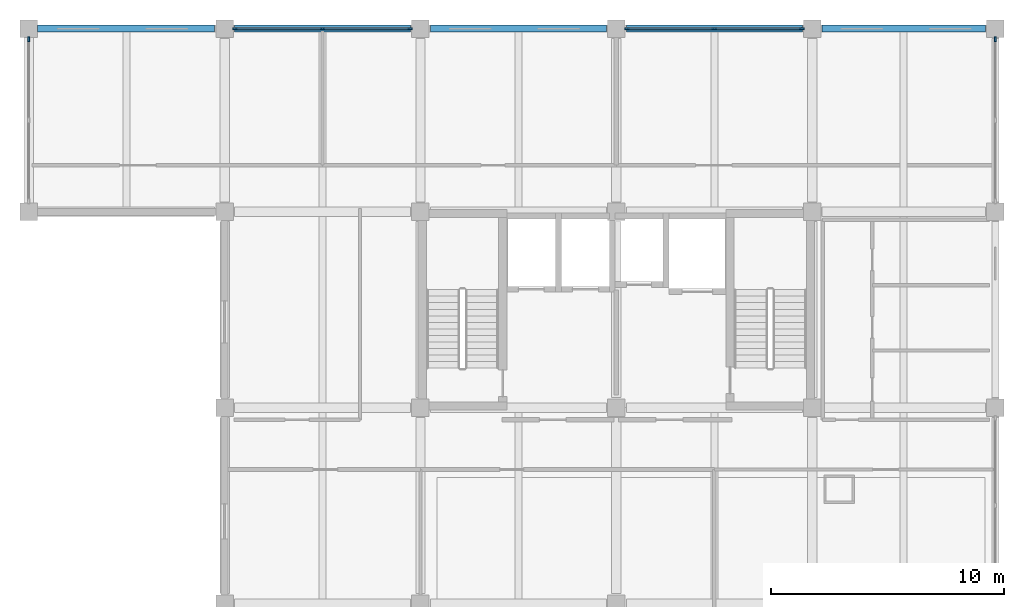
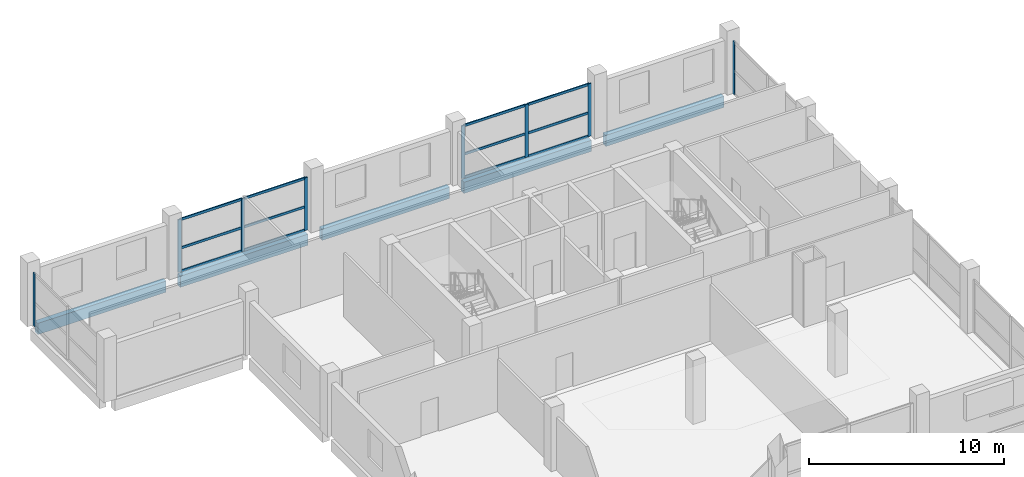
# One storey, part 5 of 9: 20 members, 5 beams, 4 elements without a shape of their own.
"""IFC4 building model written with IfcOpenShell, lengths in metres."""

from ifc_helpers import new_model, si_unit, direction, frame, origin, origin_2d, place, context, subcontext, project, spatial, rectangle, extrude, material, material_profile, profile_set, type_object, element, aggregate, save


model = new_model("IFC4")

# Units and contexts
model_context = context("Model", 3, precision=1e-05, world=origin(), true_north=direction((0.0, 1.0)))
body_context = subcontext(model_context, "Body", "Model", "MODEL_VIEW")
ifc_project = project(units=[si_unit("LENGTHUNIT", "METRE"), si_unit("AREAUNIT", "SQUARE_METRE"), si_unit("VOLUMEUNIT", "CUBIC_METRE"), si_unit("PLANEANGLEUNIT", "RADIAN"), si_unit("MASSUNIT", "GRAM", prefix="KILO")], contexts=[model_context])

# Site, building, storey
site_placement = place(None, origin())
site = spatial("IfcSite", under=ifc_project, at=site_placement, CompositionType="ELEMENT")
building_placement = place(site_placement, origin())
building = spatial("IfcBuilding", under=site, at=building_placement, Name="Brinegate Botanical Conservatory", CompositionType="ELEMENT")
storey_placement = place(building_placement, frame((0.0, 0.0, 40.199951171875)))
storey = spatial("IfcBuildingStorey", under=building, at=storey_placement, Name="L10", CompositionType="ELEMENT", Elevation=40.199951171875)

# Beams
ifc_material_1 = material(Name="Concrete C40/50", Category="concrete")
ifc_material_profile_1 = material_profile(ifc_material_1, rectangle(XDim=0.300048828125, YDim=0.699951171875, at=origin_2d()), Name="RC SPN 300x700")
ifc_profile_set_1 = profile_set([ifc_material_profile_1], Name="Concrete C40/50")
beam_type = type_object("IfcBeamType", Name="Beam_SP-02", PredefinedType="SPANDREL", material=ifc_profile_set_1)
beam_1_placement = place(storey_placement, frame((122.375, 111.449951171875, -0.530029296875), z_axis=(1.0, 0.0, 0.0), x_axis=(0.0, 1.0, 0.0)))
element("IfcBeam", 1, at=beam_1_placement, inside=storey, type_object=beam_type, Name="Beam SP-02 L10 P:16-17", PredefinedType="SPANDREL", context=body_context, shape_type="SweptSolid", body=[
    extrude(rectangle(XDim=0.300048828125, YDim=0.699951171875, at=origin_2d()), origin(), (0.0, 0.0, 1.0), 7.60009765625),
])
beam_2_placement = place(storey_placement, frame((130.824951171875, 111.449951171875, -0.530029296875), z_axis=(1.0, 0.0, 0.0), x_axis=(0.0, 1.0, 0.0)))
element("IfcBeam", 2, at=beam_2_placement, inside=storey, type_object=beam_type, Name="Beam SP-02 L10 P:17-18", PredefinedType="SPANDREL", context=body_context, shape_type="SweptSolid", body=[
    extrude(rectangle(XDim=0.300048828125, YDim=0.699951171875, at=origin_2d()), origin(), (0.0, 0.0, 1.0), 7.550048828125),
])
beam_3_placement = place(storey_placement, frame((139.22509765625, 111.449951171875, -0.530029296875), z_axis=(1.0, 0.0, 0.0), x_axis=(0.0, 1.0, 0.0)))
element("IfcBeam", 3, at=beam_3_placement, inside=storey, type_object=beam_type, Name="Beam SP-02 L10 P:18-19", PredefinedType="SPANDREL", context=body_context, shape_type="SweptSolid", body=[
    extrude(rectangle(XDim=0.300048828125, YDim=0.699951171875, at=origin_2d()), origin(), (0.0, 0.0, 1.0), 7.5498046875),
])
beam_4_placement = place(storey_placement, frame((147.625, 111.449951171875, -0.530029296875), z_axis=(1.0, 0.0, 0.0), x_axis=(0.0, 1.0, 0.0)))
element("IfcBeam", 4, at=beam_4_placement, inside=storey, type_object=beam_type, Name="Beam SP-02 L10 P:19-20", PredefinedType="SPANDREL", context=body_context, shape_type="SweptSolid", body=[
    extrude(rectangle(XDim=0.300048828125, YDim=0.699951171875, at=origin_2d()), origin(), (0.0, 0.0, 1.0), 7.550048828125),
])
beam_5_placement = place(storey_placement, frame((156.02490234375, 111.449951171875, -0.530029296875), z_axis=(1.0, 0.0, 0.0), x_axis=(0.0, 1.0, 0.0)))
element("IfcBeam", 5, at=beam_5_placement, inside=storey, type_object=beam_type, Name="Beam SP-02 L10 P:20-21", PredefinedType="SPANDREL", context=body_context, shape_type="SweptSolid", body=[
    extrude(rectangle(XDim=0.300048828125, YDim=0.699951171875, at=origin_2d()), origin(), (0.0, 0.0, 1.0), 7.0),
])

# Curtain wall, members
ifc_material_2 = material(Name="Thermally broken anodised aluminium AW-6063-T6", Category="aluminium")
curtain_wall_type = type_object("IfcCurtainWallType", Name="CW_CW-TW1", PredefinedType="USERDEFINED", material=ifc_material_2)
curtain_wall_1_placement = place(storey_placement, origin())
curtain_wall_1 = element("IfcCurtainWall", 6, at=curtain_wall_1_placement, inside=storey, type_object=curtain_wall_type, Name="Research lab north curtain wall L10.2", ObjectType="FACTORY CURTAIN WALL", PredefinedType="USERDEFINED")
ifc_material_profile_2 = material_profile(ifc_material_2, rectangle(XDim=0.070068359375, YDim=0.199951171875, at=origin_2d()), Name="ALUM MULLION 70x200")
ifc_profile_set_2 = profile_set([ifc_material_profile_2], Name="Thermally broken anodised aluminium AW-6063-T6")
member_type_1 = type_object("IfcMemberType", Name="Member_ML-03", PredefinedType="MULLION", material=ifc_profile_set_2)
member_1_placement = place(storey_placement, frame((130.85009765625, 111.449951171875, 0.0), z_axis=(0.0, 0.0, 1.0), x_axis=(0.0, 1.0, 0.0)))
member_1 = element("IfcMember", 7, at=member_1_placement, type_object=member_type_1, Name="CW-TW1 mullion 1", PredefinedType="MULLION", context=body_context, shape_type="SweptSolid", body=[
    extrude(rectangle(XDim=0.070068359375, YDim=0.199951171875, at=origin_2d()), origin(), (0.0, 0.0, 1.0), 3.300048828125),
])
member_2_placement = place(storey_placement, frame((134.60009765625, 111.449951171875, 0.0), z_axis=(0.0, 0.0, 1.0), x_axis=(0.0, 1.0, 0.0)))
member_2 = element("IfcMember", 8, at=member_2_placement, type_object=member_type_1, Name="CW-TW1 mullion 2", PredefinedType="MULLION", context=body_context, shape_type="SweptSolid", body=[
    extrude(rectangle(XDim=0.070068359375, YDim=0.199951171875, at=origin_2d()), origin(), (0.0, 0.0, 1.0), 3.300048828125),
])
member_3_placement = place(storey_placement, frame((138.35009765625, 111.449951171875, 0.0), z_axis=(0.0, 0.0, 1.0), x_axis=(0.0, 1.0, 0.0)))
member_3 = element("IfcMember", 9, at=member_3_placement, type_object=member_type_1, Name="CW-TW1 mullion 3", PredefinedType="MULLION", context=body_context, shape_type="SweptSolid", body=[
    extrude(rectangle(XDim=0.070068359375, YDim=0.199951171875, at=origin_2d()), origin(), (0.0, 0.0, 1.0), 3.300048828125),
])

curtain_wall_2_placement = place(storey_placement, origin())
curtain_wall_2 = element("IfcCurtainWall", 10, at=curtain_wall_2_placement, inside=storey, type_object=curtain_wall_type, Name="Research lab north curtain wall L10.4", ObjectType="FACTORY CURTAIN WALL", PredefinedType="USERDEFINED")
member_4_placement = place(storey_placement, frame((147.64990234375, 111.449951171875, 0.0), z_axis=(0.0, 0.0, 1.0), x_axis=(0.0, 1.0, 0.0)))
member_4 = element("IfcMember", 11, at=member_4_placement, type_object=member_type_1, Name="CW-TW1 mullion 1", PredefinedType="MULLION", context=body_context, shape_type="SweptSolid", body=[
    extrude(rectangle(XDim=0.070068359375, YDim=0.199951171875, at=origin_2d()), origin(), (0.0, 0.0, 1.0), 3.300048828125),
])
member_5_placement = place(storey_placement, frame((151.39990234375, 111.449951171875, 0.0), z_axis=(0.0, 0.0, 1.0), x_axis=(0.0, 1.0, 0.0)))
member_5 = element("IfcMember", 12, at=member_5_placement, type_object=member_type_1, Name="CW-TW1 mullion 2", PredefinedType="MULLION", context=body_context, shape_type="SweptSolid", body=[
    extrude(rectangle(XDim=0.070068359375, YDim=0.199951171875, at=origin_2d()), origin(), (0.0, 0.0, 1.0), 3.300048828125),
])
member_6_placement = place(storey_placement, frame((155.14990234375, 111.449951171875, 0.0), z_axis=(0.0, 0.0, 1.0), x_axis=(0.0, 1.0, 0.0)))
member_6 = element("IfcMember", 13, at=member_6_placement, type_object=member_type_1, Name="CW-TW1 mullion 3", PredefinedType="MULLION", context=body_context, shape_type="SweptSolid", body=[
    extrude(rectangle(XDim=0.070068359375, YDim=0.199951171875, at=origin_2d()), origin(), (0.0, 0.0, 1.0), 3.300048828125),
])

# Curtain wall, member
curtain_wall_3_placement = place(storey_placement, origin())
curtain_wall_3 = element("IfcCurtainWall", 14, at=curtain_wall_3_placement, inside=storey, type_object=curtain_wall_type, Name="Tower east curtain wall L10.4", ObjectType="FACTORY CURTAIN WALL", PredefinedType="USERDEFINED")
member_7_placement = place(storey_placement, frame((163.449951171875, 111.0, 0.0), z_axis=(0.0, 0.0, 1.0), x_axis=(1.0, 0.0, 0.0)))
member_7 = element("IfcMember", 15, at=member_7_placement, type_object=member_type_1, Name="CW-TW1 mullion 1", PredefinedType="MULLION", context=body_context, shape_type="SweptSolid", body=[
    extrude(rectangle(XDim=0.070068359375, YDim=0.199951171875, at=origin_2d()), origin(), (0.0, 0.0, 1.0), 3.300048828125),
])
aggregate(curtain_wall_3, [member_7])

curtain_wall_4_placement = place(storey_placement, origin())
curtain_wall_4 = element("IfcCurtainWall", 16, at=curtain_wall_4_placement, inside=storey, type_object=curtain_wall_type, Name="Tower north-west curtain wall L10", ObjectType="FACTORY CURTAIN WALL", PredefinedType="USERDEFINED")
member_8_placement = place(storey_placement, frame((122.0, 111.0, 0.0), z_axis=(0.0, 0.0, 1.0), x_axis=(-1.0, 0.0, 0.0)))
member_8 = element("IfcMember", 17, at=member_8_placement, type_object=member_type_1, Name="CW-TW1 mullion 3", PredefinedType="MULLION", context=body_context, shape_type="SweptSolid", body=[
    extrude(rectangle(XDim=0.070068359375, YDim=0.199951171875, at=origin_2d()), origin(), (0.0, 0.0, 1.0), 3.300048828125),
])
aggregate(curtain_wall_4, [member_8])

# Member
ifc_material_profile_3 = material_profile(ifc_material_2, rectangle(XDim=0.070068359375, YDim=0.14990234375, at=origin_2d()), Name="ALUM TRANSOM 70x150")
ifc_profile_set_3 = profile_set([ifc_material_profile_3], Name="Thermally broken anodised aluminium AW-6063-T6")
member_type_2 = type_object("IfcMemberType", Name="Member_TR-03", PredefinedType="USERDEFINED", material=ifc_profile_set_3)
member_9_placement = place(storey_placement, frame((130.885009765625, 111.449951171875, 0.03515625), z_axis=(1.0, 0.0, 0.0), x_axis=(0.0, 1.0, 0.0)))
member_9 = element("IfcMember", 18, at=member_9_placement, type_object=member_type_2, Name="CW-TW1 transom 1.1", ObjectType="TRANSOM", PredefinedType="USERDEFINED", context=body_context, shape_type="SweptSolid", body=[
    extrude(rectangle(XDim=0.070068359375, YDim=0.14990234375, at=origin_2d()), origin(), (0.0, 0.0, 1.0), 3.679931640625),
])

member_10_placement = place(storey_placement, frame((130.885009765625, 111.449951171875, 1.485107421875), z_axis=(1.0, 0.0, 0.0), x_axis=(0.0, 1.0, 0.0)))
member_10 = element("IfcMember", 19, at=member_10_placement, type_object=member_type_2, Name="CW-TW1 transom 1.2", ObjectType="TRANSOM", PredefinedType="USERDEFINED", context=body_context, shape_type="SweptSolid", body=[
    extrude(rectangle(XDim=0.070068359375, YDim=0.14990234375, at=origin_2d()), origin(), (0.0, 0.0, 1.0), 3.679931640625),
])

member_11_placement = place(storey_placement, frame((130.885009765625, 111.449951171875, 3.26513671875), z_axis=(1.0, 0.0, 0.0), x_axis=(0.0, 1.0, 0.0)))
member_11 = element("IfcMember", 20, at=member_11_placement, type_object=member_type_2, Name="CW-TW1 transom 1.3", ObjectType="TRANSOM", PredefinedType="USERDEFINED", context=body_context, shape_type="SweptSolid", body=[
    extrude(rectangle(XDim=0.070068359375, YDim=0.14990234375, at=origin_2d()), origin(), (0.0, 0.0, 1.0), 3.679931640625),
])

member_12_placement = place(storey_placement, frame((134.635009765625, 111.449951171875, 0.03515625), z_axis=(1.0, 0.0, 0.0), x_axis=(0.0, 1.0, 0.0)))
member_12 = element("IfcMember", 21, at=member_12_placement, type_object=member_type_2, Name="CW-TW1 transom 2.1", ObjectType="TRANSOM", PredefinedType="USERDEFINED", context=body_context, shape_type="SweptSolid", body=[
    extrude(rectangle(XDim=0.070068359375, YDim=0.14990234375, at=origin_2d()), origin(), (0.0, 0.0, 1.0), 3.679931640625),
])

member_13_placement = place(storey_placement, frame((134.635009765625, 111.449951171875, 1.485107421875), z_axis=(1.0, 0.0, 0.0), x_axis=(0.0, 1.0, 0.0)))
member_13 = element("IfcMember", 22, at=member_13_placement, type_object=member_type_2, Name="CW-TW1 transom 2.2", ObjectType="TRANSOM", PredefinedType="USERDEFINED", context=body_context, shape_type="SweptSolid", body=[
    extrude(rectangle(XDim=0.070068359375, YDim=0.14990234375, at=origin_2d()), origin(), (0.0, 0.0, 1.0), 3.679931640625),
])

member_14_placement = place(storey_placement, frame((134.635009765625, 111.449951171875, 3.26513671875), z_axis=(1.0, 0.0, 0.0), x_axis=(0.0, 1.0, 0.0)))
member_14 = element("IfcMember", 23, at=member_14_placement, type_object=member_type_2, Name="CW-TW1 transom 2.3", ObjectType="TRANSOM", PredefinedType="USERDEFINED", context=body_context, shape_type="SweptSolid", body=[
    extrude(rectangle(XDim=0.070068359375, YDim=0.14990234375, at=origin_2d()), origin(), (0.0, 0.0, 1.0), 3.679931640625),
])

aggregate(curtain_wall_1, [member_1, member_2, member_3, member_9, member_10, member_11, member_12, member_13, member_14])

member_15_placement = place(storey_placement, frame((147.68505859375, 111.449951171875, 0.03515625), z_axis=(1.0, 0.0, 0.0), x_axis=(0.0, 1.0, 0.0)))
member_15 = element("IfcMember", 24, at=member_15_placement, type_object=member_type_2, Name="CW-TW1 transom 1.1", ObjectType="TRANSOM", PredefinedType="USERDEFINED", context=body_context, shape_type="SweptSolid", body=[
    extrude(rectangle(XDim=0.070068359375, YDim=0.14990234375, at=origin_2d()), origin(), (0.0, 0.0, 1.0), 3.679931640625),
])

member_16_placement = place(storey_placement, frame((147.68505859375, 111.449951171875, 1.485107421875), z_axis=(1.0, 0.0, 0.0), x_axis=(0.0, 1.0, 0.0)))
member_16 = element("IfcMember", 25, at=member_16_placement, type_object=member_type_2, Name="CW-TW1 transom 1.2", ObjectType="TRANSOM", PredefinedType="USERDEFINED", context=body_context, shape_type="SweptSolid", body=[
    extrude(rectangle(XDim=0.070068359375, YDim=0.14990234375, at=origin_2d()), origin(), (0.0, 0.0, 1.0), 3.679931640625),
])

member_17_placement = place(storey_placement, frame((147.68505859375, 111.449951171875, 3.26513671875), z_axis=(1.0, 0.0, 0.0), x_axis=(0.0, 1.0, 0.0)))
member_17 = element("IfcMember", 26, at=member_17_placement, type_object=member_type_2, Name="CW-TW1 transom 1.3", ObjectType="TRANSOM", PredefinedType="USERDEFINED", context=body_context, shape_type="SweptSolid", body=[
    extrude(rectangle(XDim=0.070068359375, YDim=0.14990234375, at=origin_2d()), origin(), (0.0, 0.0, 1.0), 3.679931640625),
])

member_18_placement = place(storey_placement, frame((151.43505859375, 111.449951171875, 0.03515625), z_axis=(1.0, 0.0, 0.0), x_axis=(0.0, 1.0, 0.0)))
member_18 = element("IfcMember", 27, at=member_18_placement, type_object=member_type_2, Name="CW-TW1 transom 2.1", ObjectType="TRANSOM", PredefinedType="USERDEFINED", context=body_context, shape_type="SweptSolid", body=[
    extrude(rectangle(XDim=0.070068359375, YDim=0.14990234375, at=origin_2d()), origin(), (0.0, 0.0, 1.0), 3.679931640625),
])

member_19_placement = place(storey_placement, frame((151.43505859375, 111.449951171875, 1.485107421875), z_axis=(1.0, 0.0, 0.0), x_axis=(0.0, 1.0, 0.0)))
member_19 = element("IfcMember", 28, at=member_19_placement, type_object=member_type_2, Name="CW-TW1 transom 2.2", ObjectType="TRANSOM", PredefinedType="USERDEFINED", context=body_context, shape_type="SweptSolid", body=[
    extrude(rectangle(XDim=0.070068359375, YDim=0.14990234375, at=origin_2d()), origin(), (0.0, 0.0, 1.0), 3.679931640625),
])

member_20_placement = place(storey_placement, frame((151.43505859375, 111.449951171875, 3.26513671875), z_axis=(1.0, 0.0, 0.0), x_axis=(0.0, 1.0, 0.0)))
member_20 = element("IfcMember", 29, at=member_20_placement, type_object=member_type_2, Name="CW-TW1 transom 2.3", ObjectType="TRANSOM", PredefinedType="USERDEFINED", context=body_context, shape_type="SweptSolid", body=[
    extrude(rectangle(XDim=0.070068359375, YDim=0.14990234375, at=origin_2d()), origin(), (0.0, 0.0, 1.0), 3.679931640625),
])

aggregate(curtain_wall_2, [member_4, member_5, member_6, member_15, member_16, member_17, member_18, member_19, member_20])

save(model, "model.ifc")
